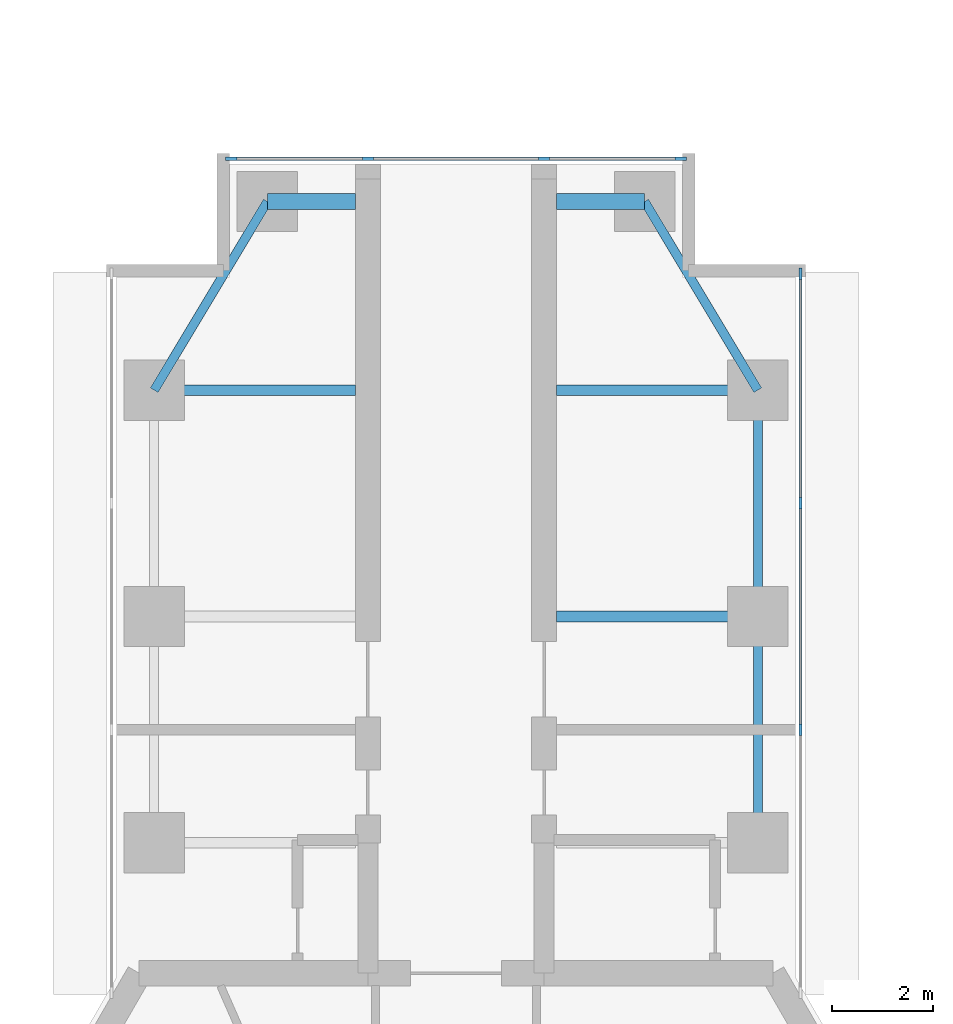
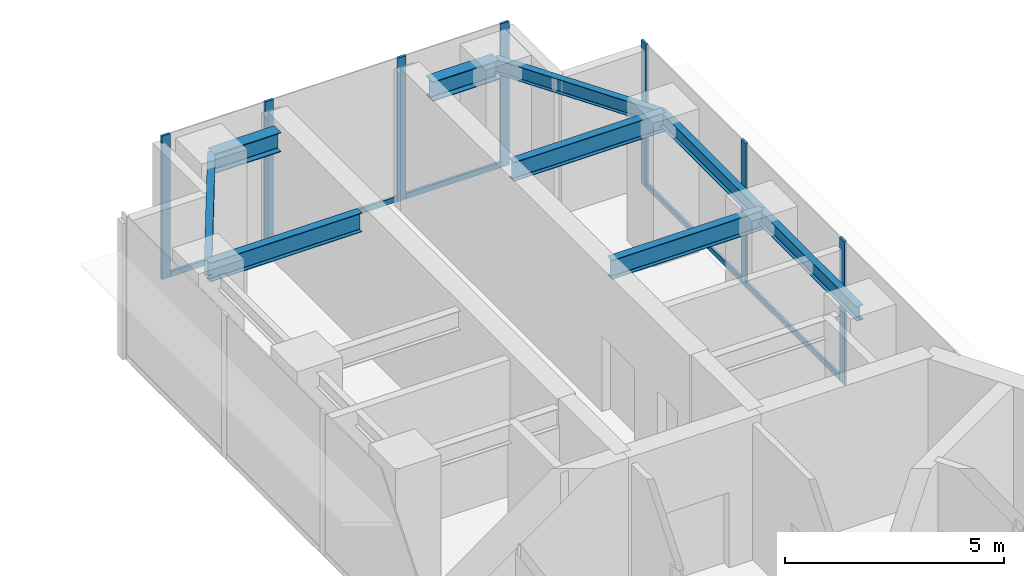
# One storey, part 9 of 17: 12 members, 9 beams, 2 elements without a shape of their own.
"""IFC4 building model written with IfcOpenShell, lengths in metres."""

from ifc_helpers import new_model, si_unit, direction, frame, origin, origin_2d, place, context, subcontext, project, spatial, rectangle, i_section, extrude, material, material_profile, profile_set, type_object, element, aggregate, save


model = new_model("IFC4")

# Units and contexts
model_context = context("Model", 3, precision=1e-05, world=origin(), true_north=direction((0.0, 1.0)))
body_context = subcontext(model_context, "Body", "Model", "MODEL_VIEW")
ifc_project = project(units=[si_unit("LENGTHUNIT", "METRE"), si_unit("AREAUNIT", "SQUARE_METRE"), si_unit("VOLUMEUNIT", "CUBIC_METRE"), si_unit("PLANEANGLEUNIT", "RADIAN"), si_unit("MASSUNIT", "GRAM", prefix="KILO")], contexts=[model_context])

# Site, building, storey
site_placement = place(None, origin())
site = spatial("IfcSite", under=ifc_project, at=site_placement, CompositionType="ELEMENT")
building_placement = place(site_placement, origin())
building = spatial("IfcBuilding", under=site, at=building_placement, Name="Upepo Twin Towers", CompositionType="ELEMENT")
storey_placement = place(building_placement, frame((0.0, 0.0, 178.5)))
storey = spatial("IfcBuildingStorey", under=building, at=storey_placement, Name="L43", CompositionType="ELEMENT", Elevation=178.5)

# Beams
ifc_material_1 = material(Name="Steel S355", Category="steel")
ifc_material_profile_1 = material_profile(ifc_material_1, i_section(OverallWidth=0.177978515625, OverallDepth=0.406494140625, WebThickness=0.0078125, FlangeThickness=0.0126953125, FilletRadius=0.01025390625, at=origin_2d()), Name="UB 406x178x60")
ifc_profile_set_1 = profile_set([ifc_material_profile_1], Name="Steel S355")
beam_type_1 = type_object("IfcBeamType", Name="Beam UB 406x178x60", PredefinedType="BEAM", material=ifc_profile_set_1)
beam_1_placement = place(storey_placement, frame((52.5, 4.5, 3.5966796875), z_axis=(0.514495755428, 0.857492925713, 0.0), x_axis=(-0.857492925713, 0.514495755428, 0.0)))
element("IfcBeam", 1, at=beam_1_placement, inside=storey, type_object=beam_type_1, Name="T2 nose edge beam AL", PredefinedType="BEAM", context=body_context, shape_type="SweptSolid", body=[
    extrude(i_section(OverallWidth=0.177978515625, OverallDepth=0.406494140625, WebThickness=0.0078125, FlangeThickness=0.0126953125, FilletRadius=0.01025390625, at=origin_2d()), origin(), (0.0, 0.0, 1.0), 4.373291015625),
])
for number, where, z_axis, x_axis, name in (
    (2, (64.5, -4.5, 3.5966796875), (0.0, 1.0, 0.0), (-1.0, 0.0, 0.0), "T2 edge beam AR 13.5-18.0"),
    (3, (64.5, 0.0, 3.5966796875), (0.0, 1.0, 0.0), (-1.0, 0.0, 0.0), "T2 edge beam AR 18.0-22.5"),
):
    element("IfcBeam", number, at=place(storey_placement, frame(where, z_axis=z_axis, x_axis=x_axis)), inside=storey, type_object=beam_type_1, Name=name, PredefinedType="BEAM", context=body_context, shape_type="SweptSolid", body=[
        extrude(i_section(OverallWidth=0.177978515625, OverallDepth=0.406494140625, WebThickness=0.0078125, FlangeThickness=0.0126953125, FilletRadius=0.01025390625, at=origin_2d()), origin(), (0.0, 0.0, 1.0), 4.5),
    ])
beam_2_placement = place(storey_placement, frame((64.5, 4.5, 3.5966796875), z_axis=(-0.514495755428, 0.857492925713, 0.0), x_axis=(-0.857492925713, -0.514495755428, 0.0)))
element("IfcBeam", 4, at=beam_2_placement, inside=storey, type_object=beam_type_1, Name="T2 nose edge beam AR", PredefinedType="BEAM", context=body_context, shape_type="SweptSolid", body=[
    extrude(i_section(OverallWidth=0.177978515625, OverallDepth=0.406494140625, WebThickness=0.0078125, FlangeThickness=0.0126953125, FilletRadius=0.01025390625, at=origin_2d()), origin(), (0.0, 0.0, 1.0), 4.373291015625),
])
ifc_material_2 = material(Name="Steel S355", Category="steel")
ifc_material_profile_2 = material_profile(ifc_material_2, i_section(OverallWidth=0.209228515625, OverallDepth=0.533203125, WebThickness=0.010009765625, FlangeThickness=0.015625, FilletRadius=0.0126953125, at=origin_2d()), Name="UB 533x210x92")
ifc_profile_set_2 = profile_set([ifc_material_profile_2], Name="Steel S355")
beam_type_2 = type_object("IfcBeamType", Name="Beam UB 533x210x92", PredefinedType="BEAM", material=ifc_profile_set_2)
for number, where, z_axis, x_axis, name in (
    (5, (52.5, 4.5, 3.533447265625), (1.0, 0.0, 0.0), (0.0, 1.0, 0.0), "T2 girder AL at 22.5"),
    (6, (64.5, 0.0, 3.533447265625), (-1.0, 0.0, 0.0), (0.0, -1.0, 0.0), "T2 girder AR at 18.0"),
    (7, (64.5, 4.5, 3.533447265625), (-1.0, 0.0, 0.0), (0.0, -1.0, 0.0), "T2 girder AR at 22.5"),
):
    element("IfcBeam", number, at=place(storey_placement, frame(where, z_axis=z_axis, x_axis=x_axis)), inside=storey, type_object=beam_type_2, Name=name, PredefinedType="BEAM", context=body_context, shape_type="SweptSolid", body=[
        extrude(i_section(OverallWidth=0.209228515625, OverallDepth=0.533203125, WebThickness=0.010009765625, FlangeThickness=0.015625, FilletRadius=0.0126953125, at=origin_2d()), origin(), (0.0, 0.0, 1.0), 4.0),
    ])
ifc_material_3 = material(Name="Steel S355", Category="steel")
ifc_material_profile_3 = material_profile(ifc_material_3, i_section(OverallWidth=0.31201171875, OverallDepth=0.54345703125, WebThickness=0.0126953125, FlangeThickness=0.020263671875, FilletRadius=0.0126953125, at=origin_2d()), Name="UB 533x312x150")
ifc_profile_set_3 = profile_set([ifc_material_profile_3], Name="Steel S355")
beam_type_3 = type_object("IfcBeamType", Name="Beam UB 533x312x150", PredefinedType="BEAM", material=ifc_profile_set_3)
for number, where, z_axis, x_axis, name in (
    (8, (54.75, 8.25, 3.5283203125), (1.0, 0.0, 0.0), (0.0, 1.0, 0.0), "T2 nose beam AL"),
    (9, (62.25, 8.25, 3.5283203125), (-1.0, 0.0, 0.0), (0.0, -1.0, 0.0), "T2 nose beam AR"),
):
    element("IfcBeam", number, at=place(storey_placement, frame(where, z_axis=z_axis, x_axis=x_axis)), inside=storey, type_object=beam_type_3, Name=name, PredefinedType="BEAM", context=body_context, shape_type="SweptSolid", body=[
        extrude(i_section(OverallWidth=0.31201171875, OverallDepth=0.54345703125, WebThickness=0.0126953125, FlangeThickness=0.020263671875, FilletRadius=0.0126953125, at=origin_2d()), origin(), (0.0, 0.0, 1.0), 1.75),
    ])

# Curtain wall, members
ifc_material_4 = material(Name="Aluminium and fritted glass", Category="aluminium")
curtain_wall_type = type_object("IfcCurtainWallType", Name="Tower curtain wall TW3, fritted glass", PredefinedType="NOTDEFINED", material=ifc_material_4)
curtain_wall_1_placement = place(storey_placement, origin())
curtain_wall_1 = element("IfcCurtainWall", 10, at=curtain_wall_1_placement, inside=storey, type_object=curtain_wall_type, Name="T2 L43 wing A flank R curtain wall", PredefinedType="NOTDEFINED")
ifc_material_5 = material(Name="Aluminium mullion", Category="aluminium")
ifc_material_profile_4 = material_profile(ifc_material_5, rectangle(XDim=0.06494140625, YDim=0.22509765625, at=origin_2d()), Name="MULLION 65x225")
ifc_profile_set_4 = profile_set([ifc_material_profile_4], Name="Aluminium mullion")
member_type_1 = type_object("IfcMemberType", Name="Mullion 65x225 TW3", PredefinedType="MULLION", material=ifc_profile_set_4)
member_1_placement = place(storey_placement, frame((65.35009765625, 6.8173828125, 0.0), z_axis=(0.0, 0.0, 1.0), x_axis=(1.0, 0.0, 0.0)))
member_1 = element("IfcMember", 11, at=member_1_placement, type_object=member_type_1, Name="T2 L43 wing A flank R curtain wall mullion 1", PredefinedType="MULLION", context=body_context, shape_type="SweptSolid", body=[
    extrude(rectangle(XDim=0.06494140625, YDim=0.22509765625, at=origin_2d()), origin(), (0.0, 0.0, 1.0), 4.0),
])
member_2_placement = place(storey_placement, frame((65.35009765625, 2.25, 0.0), z_axis=(0.0, 0.0, 1.0), x_axis=(1.0, 0.0, 0.0)))
member_2 = element("IfcMember", 12, at=member_2_placement, type_object=member_type_1, Name="T2 L43 wing A flank R curtain wall mullion 2", PredefinedType="MULLION", context=body_context, shape_type="SweptSolid", body=[
    extrude(rectangle(XDim=0.06494140625, YDim=0.22509765625, at=origin_2d()), origin(), (0.0, 0.0, 1.0), 4.0),
])
member_3_placement = place(storey_placement, frame((65.35009765625, -2.25, 0.0), z_axis=(0.0, 0.0, 1.0), x_axis=(1.0, 0.0, 0.0)))
member_3 = element("IfcMember", 13, at=member_3_placement, type_object=member_type_1, Name="T2 L43 wing A flank R curtain wall mullion 3", PredefinedType="MULLION", context=body_context, shape_type="SweptSolid", body=[
    extrude(rectangle(XDim=0.06494140625, YDim=0.22509765625, at=origin_2d()), origin(), (0.0, 0.0, 1.0), 4.0),
])

curtain_wall_2_placement = place(storey_placement, origin())
curtain_wall_2 = element("IfcCurtainWall", 14, at=curtain_wall_2_placement, inside=storey, type_object=curtain_wall_type, Name="T2 L43 wing A nose curtain wall", PredefinedType="NOTDEFINED")
member_4_placement = place(storey_placement, frame((62.967529296875, 9.10009765625, 0.0), z_axis=(0.0, 0.0, 1.0), x_axis=(0.0, -1.0, 0.0)))
member_4 = element("IfcMember", 15, at=member_4_placement, type_object=member_type_1, Name="T2 L43 wing A nose curtain wall mullion 1", PredefinedType="MULLION", context=body_context, shape_type="SweptSolid", body=[
    extrude(rectangle(XDim=0.06494140625, YDim=0.22509765625, at=origin_2d()), origin(), (0.0, 0.0, 1.0), 4.0),
])
member_5_placement = place(storey_placement, frame((60.25, 9.10009765625, 0.0), z_axis=(0.0, 0.0, 1.0), x_axis=(0.0, -1.0, 0.0)))
member_5 = element("IfcMember", 16, at=member_5_placement, type_object=member_type_1, Name="T2 L43 wing A nose curtain wall mullion 2", PredefinedType="MULLION", context=body_context, shape_type="SweptSolid", body=[
    extrude(rectangle(XDim=0.06494140625, YDim=0.22509765625, at=origin_2d()), origin(), (0.0, 0.0, 1.0), 4.0),
])
member_6_placement = place(storey_placement, frame((56.75, 9.10009765625, 0.0), z_axis=(0.0, 0.0, 1.0), x_axis=(0.0, -1.0, 0.0)))
member_6 = element("IfcMember", 17, at=member_6_placement, type_object=member_type_1, Name="T2 L43 wing A nose curtain wall mullion 3", PredefinedType="MULLION", context=body_context, shape_type="SweptSolid", body=[
    extrude(rectangle(XDim=0.06494140625, YDim=0.22509765625, at=origin_2d()), origin(), (0.0, 0.0, 1.0), 4.0),
])
member_7_placement = place(storey_placement, frame((54.032470703125, 9.10009765625, 0.0), z_axis=(0.0, 0.0, 1.0), x_axis=(0.0, -1.0, 0.0)))
member_7 = element("IfcMember", 18, at=member_7_placement, type_object=member_type_1, Name="T2 L43 wing A nose curtain wall mullion 4", PredefinedType="MULLION", context=body_context, shape_type="SweptSolid", body=[
    extrude(rectangle(XDim=0.06494140625, YDim=0.22509765625, at=origin_2d()), origin(), (0.0, 0.0, 1.0), 4.0),
])

# Member
ifc_material_6 = material(Name="Aluminium transom", Category="aluminium")
ifc_material_profile_5 = material_profile(ifc_material_6, rectangle(XDim=0.06494140625, YDim=0.14990234375, at=origin_2d()), Name="TRANSOM 65x150")
ifc_profile_set_5 = profile_set([ifc_material_profile_5], Name="Aluminium transom")
member_type_2 = type_object("IfcMemberType", Name="Transom 65x150 TW3", PredefinedType="USERDEFINED", material=ifc_profile_set_5)
member_8_placement = place(storey_placement, frame((65.35009765625, 6.784912109375, 0.074951171875), z_axis=(0.0, -1.0, 0.0), x_axis=(1.0, 0.0, 0.0)))
member_8 = element("IfcMember", 19, at=member_8_placement, type_object=member_type_2, Name="T2 L43 wing A flank R curtain wall transom 1", ObjectType="TRANSOM", PredefinedType="USERDEFINED", context=body_context, shape_type="SweptSolid", body=[
    extrude(rectangle(XDim=0.06494140625, YDim=0.14990234375, at=origin_2d()), origin(), (0.0, 0.0, 1.0), 4.50244140625),
])

member_9_placement = place(storey_placement, frame((65.35009765625, 2.217529296875, 0.074951171875), z_axis=(0.0, -1.0, 0.0), x_axis=(1.0, 0.0, 0.0)))
member_9 = element("IfcMember", 20, at=member_9_placement, type_object=member_type_2, Name="T2 L43 wing A flank R curtain wall transom 2", ObjectType="TRANSOM", PredefinedType="USERDEFINED", context=body_context, shape_type="SweptSolid", body=[
    extrude(rectangle(XDim=0.06494140625, YDim=0.14990234375, at=origin_2d()), origin(), (0.0, 0.0, 1.0), 4.43505859375),
])

aggregate(curtain_wall_1, [member_1, member_2, member_3, member_8, member_9])

member_10_placement = place(storey_placement, frame((62.93505859375, 9.10009765625, 0.074951171875), z_axis=(-1.0, 0.0, 0.0), x_axis=(0.0, -1.0, 0.0)))
member_10 = element("IfcMember", 21, at=member_10_placement, type_object=member_type_2, Name="T2 L43 wing A nose curtain wall transom 1", ObjectType="TRANSOM", PredefinedType="USERDEFINED", context=body_context, shape_type="SweptSolid", body=[
    extrude(rectangle(XDim=0.06494140625, YDim=0.14990234375, at=origin_2d()), origin(), (0.0, 0.0, 1.0), 2.652587890625),
])

member_11_placement = place(storey_placement, frame((60.217529296875, 9.10009765625, 0.074951171875), z_axis=(-1.0, 0.0, 0.0), x_axis=(0.0, -1.0, 0.0)))
member_11 = element("IfcMember", 22, at=member_11_placement, type_object=member_type_2, Name="T2 L43 wing A nose curtain wall transom 2", ObjectType="TRANSOM", PredefinedType="USERDEFINED", context=body_context, shape_type="SweptSolid", body=[
    extrude(rectangle(XDim=0.06494140625, YDim=0.14990234375, at=origin_2d()), origin(), (0.0, 0.0, 1.0), 3.43505859375),
])

member_12_placement = place(storey_placement, frame((56.717529296875, 9.10009765625, 0.074951171875), z_axis=(-1.0, 0.0, 0.0), x_axis=(0.0, -1.0, 0.0)))
member_12 = element("IfcMember", 23, at=member_12_placement, type_object=member_type_2, Name="T2 L43 wing A nose curtain wall transom 3", ObjectType="TRANSOM", PredefinedType="USERDEFINED", context=body_context, shape_type="SweptSolid", body=[
    extrude(rectangle(XDim=0.06494140625, YDim=0.14990234375, at=origin_2d()), origin(), (0.0, 0.0, 1.0), 2.652587890625),
])

aggregate(curtain_wall_2, [member_4, member_5, member_6, member_7, member_10, member_11, member_12])

save(model, "model.ifc")
